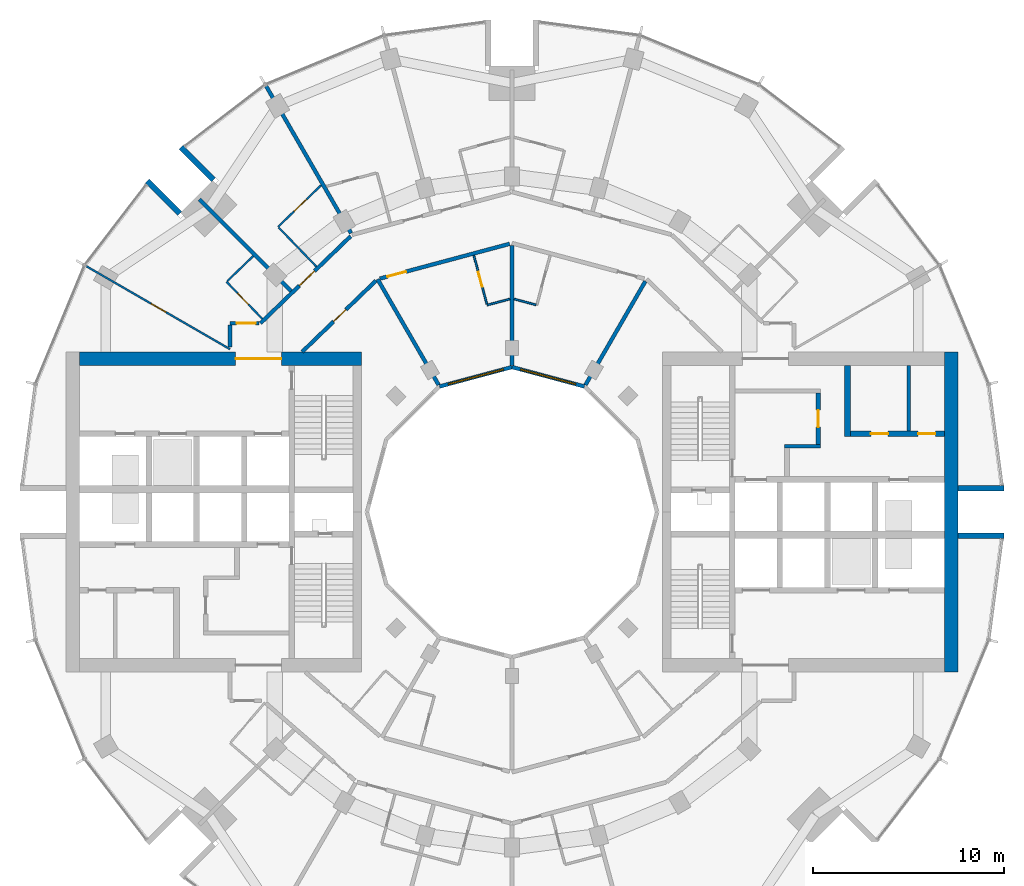
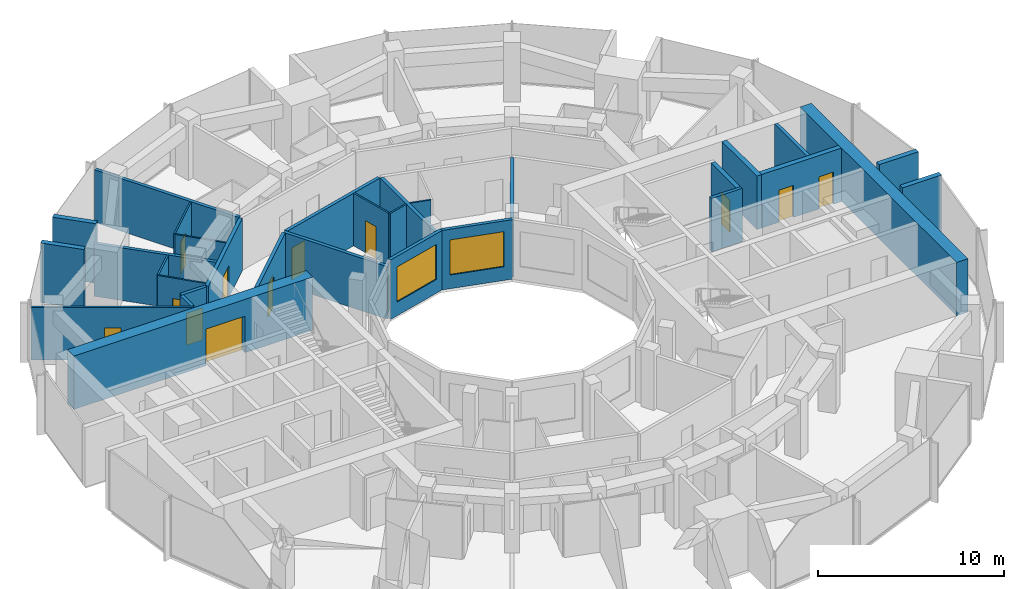
# One storey, part 11 of 15: 31 walls, 12 doors, 2 windows, 14 openings.
"""IFC4 building model written with IfcOpenShell, lengths in metres."""

import ifcopenshell
import ifcopenshell.guid

model = None  # the IFC model being written
_history = None  # IfcOwnerHistory: only IFC2X3 demands one
_inside = {}  # id of a spatial element -> (the spatial element, [elements in it])
_under = {}  # id of a project, library or spatial element -> (it, [spatial elements below it])
_declared = {}  # id of a project -> (the project, [libraries it declares])
_typed = {}  # id of a type object -> (the type object, [elements of that type])
_made_of = {}  # id of a material, layer set ... -> (it, [elements and type objects made of it])


def new_model(schema):
    """Start an empty IFC model of exactly this schema.

    Asked for "IFC4X3", IfcOpenShell would pick the latest addendum, in which some entities
    have other attributes; the version numbers below select the first issue.
    IFC2X3 requires an IfcOwnerHistory on every rooted entity: one is made here for all.
    """
    global model, _history
    if schema == "IFC4X3":
        model = ifcopenshell.file(schema_version=(4, 3, 0, 0))
    else:
        model = ifcopenshell.file(schema=schema)
    _inside.clear()
    _under.clear()
    _declared.clear()
    _typed.clear()
    _made_of.clear()
    _history = None
    if model.schema == "IFC2X3":
        org = make("IfcOrganization", Name="unknown")
        user = make(
            "IfcPersonAndOrganization",
            ThePerson=make("IfcPerson", FamilyName="unknown"),
            TheOrganization=org,
        )
        app = make(
            "IfcApplication",
            ApplicationDeveloper=org,
            Version="unknown",
            ApplicationFullName="unknown",
            ApplicationIdentifier="unknown",
        )
        _history = make(
            "IfcOwnerHistory",
            OwningUser=user,
            OwningApplication=app,
            ChangeAction="ADDED",
            CreationDate=0,
        )
    return model


def make(cls, **values):
    """One entity of the class cls with the attributes given. An attribute that is None is left unset."""
    return model.create_entity(
        cls, **{name: value for name, value in values.items() if value is not None}
    )


def rooted(cls, **values):
    """An entity with a GlobalId (a new one), such as an element, a storey or a relation."""
    return make(cls, GlobalId=ifcopenshell.guid.new(), OwnerHistory=_history, **values)


def si_unit(unit_type, name, prefix=None):
    """IfcSIUnit, for example si_unit("LENGTHUNIT", "METRE", prefix="MILLI")."""
    return make("IfcSIUnit", UnitType=unit_type, Prefix=prefix, Name=name)


def assignment(units):
    """IfcUnitAssignment: the units of a project."""
    return None if units is None else make("IfcUnitAssignment", Units=units)


def point(xyz):
    """IfcCartesianPoint."""
    return None if xyz is None else make("IfcCartesianPoint", Coordinates=xyz)


def direction(xyz):
    """IfcDirection."""
    return None if xyz is None else make("IfcDirection", DirectionRatios=xyz)


def frame(location, z_axis=None, x_axis=None):
    """IfcAxis2Placement3D, a coordinate frame: its origin and axes. An axis left out is left unset."""
    return make(
        "IfcAxis2Placement3D",
        Location=point(location),
        Axis=direction(z_axis),
        RefDirection=direction(x_axis),
    )


def frame_2d(location, x_axis=None):
    """IfcAxis2Placement2D, a coordinate frame in the plane: its origin and x axis."""
    return make(
        "IfcAxis2Placement2D", Location=point(location), RefDirection=direction(x_axis)
    )


def origin():
    """The frame at (0, 0, 0) with its axes left unset."""
    return frame((0.0, 0.0, 0.0))


def place(relative_to, where):
    """IfcLocalPlacement: puts the frame where relative to a parent placement (None: the world)."""
    return make(
        "IfcLocalPlacement", PlacementRelTo=relative_to, RelativePlacement=where
    )


def context(
    kind, dimensions, precision=None, world=None, true_north=None, identifier=None
):
    """IfcGeometricRepresentationContext, for example the 3D "Model" context."""
    return make(
        "IfcGeometricRepresentationContext",
        ContextIdentifier=identifier,
        ContextType=kind,
        CoordinateSpaceDimension=dimensions,
        Precision=precision,
        WorldCoordinateSystem=world,
        TrueNorth=true_north,
    )


def subcontext(parent, identifier, kind, view, scale=None):
    """IfcGeometricRepresentationSubContext, for example "Body" below "Model"."""
    return make(
        "IfcGeometricRepresentationSubContext",
        ContextIdentifier=identifier,
        ContextType=kind,
        ParentContext=parent,
        TargetScale=scale,
        TargetView=view,
    )


def project(units=None, contexts=None):
    """IfcProject with its units and contexts."""
    return rooted(
        "IfcProject",
        Name="project",
        RepresentationContexts=contexts,
        UnitsInContext=assignment(units),
    )


def spatial(cls, under=None, at=None, **own):
    """A site, building, storey or space (cls), placed at a placement, below another one or the project."""
    s = rooted(cls, ObjectPlacement=at, **own)
    if under is not None:
        _under.setdefault(under.id(), (under, []))[1].append(s)
    return s


def profile(cls, at=None, kind="AREA", **sizes):
    """A parametric profile (cls). Its sizes go by their IFC names, for example OverallWidth=200.0."""
    return make(cls, ProfileType=kind, Position=at, **sizes)


def rectangle(**sizes):
    """IfcRectangleProfileDef."""
    return profile("IfcRectangleProfileDef", **sizes)


def extrude(swept, where, along, depth):
    """IfcExtrudedAreaSolid: the profile swept, set in the frame where, extruded along a direction by depth."""
    return make(
        "IfcExtrudedAreaSolid",
        SweptArea=swept,
        Position=where,
        ExtrudedDirection=direction(along),
        Depth=depth,
    )


def shape(context_of_items, identifier, shape_type, items):
    """IfcShapeRepresentation: the items that make up one representation, for example the "Body"."""
    return make(
        "IfcShapeRepresentation",
        ContextOfItems=context_of_items,
        RepresentationIdentifier=identifier,
        RepresentationType=shape_type,
        Items=items,
    )


def material(Name=None, Category=None):
    """IfcMaterial."""
    return make("IfcMaterial", Name=Name, Category=Category)


def layer(
    of_material, thickness, ventilated=None, Name=None, Category=None, Priority=None
):
    """IfcMaterialLayer: one layer of a wall or slab, of a material (None: an air gap)."""
    return make(
        "IfcMaterialLayer",
        Material=of_material,
        LayerThickness=thickness,
        IsVentilated=ventilated,
        Name=Name,
        Category=Category,
        Priority=Priority,
    )


def layer_set(layers, Name=None):
    """IfcMaterialLayerSet."""
    return make("IfcMaterialLayerSet", MaterialLayers=layers, LayerSetName=Name)


def made_of(thing, what):
    """Note that an element or type object is made of a material, layer set ...; save() writes the relation."""
    if what is not None:
        _made_of.setdefault(what.id(), (what, []))[1].append(thing)
    return thing


def type_object(cls, material=None, **own):
    """A type object (cls), such as IfcWallType, which elements share."""
    return made_of(rooted(cls, **own), material)


def element(
    cls,
    number,
    at=None,
    inside=None,
    cuts=None,
    type_object=None,
    material=None,
    context=None,
    identifier="Body",
    shape_type=None,
    held_by="IfcProductDefinitionShape",
    body=None,
    shapes=None,
    **own,
):
    """One element of the class cls, such as IfcWall. Its Tag is "e" and its number.

    at: its placement. inside: the storey or other place that contains it. cuts: it is an
    opening in that element (IfcRelVoidsElement). A single representation is given by context,
    identifier, shape_type and body (its items); several are given by shapes. held_by: the class
    of the entity that holds the representations. save() writes the other relations.
    """
    e = rooted(cls, Tag="e%d" % number, ObjectPlacement=at, **own)
    if body is not None:
        shapes = [shape(context, identifier, shape_type, body)]
    if shapes is not None:
        e.Representation = make(held_by, Representations=shapes)
    if inside is not None:
        _inside.setdefault(inside.id(), (inside, []))[1].append(e)
    if cuts is not None:
        rooted(
            "IfcRelVoidsElement", RelatingBuildingElement=cuts, RelatedOpeningElement=e
        )
    if type_object is not None:
        _typed.setdefault(type_object.id(), (type_object, []))[1].append(e)
    return made_of(e, material)


def fill(opening, filler):
    """IfcRelFillsElement: the door or window that sits in an opening."""
    return rooted(
        "IfcRelFillsElement",
        RelatingOpeningElement=opening,
        RelatedBuildingElement=filler,
    )


def aggregate(whole, parts):
    """IfcRelAggregates: a whole, such as a stair, and the parts it consists of."""
    return rooted("IfcRelAggregates", RelatingObject=whole, RelatedObjects=parts)


def save(model, path):
    """Write the relations noted so far, then the file.

    IfcRelAggregates (storeys below a building ...), IfcRelContainedInSpatialStructure (elements
    in a storey), IfcRelDefinesByType, IfcRelAssociatesMaterial and IfcRelDeclares: one each for
    every whole, place, type object, material and project.
    """
    for whole, parts in _under.values():
        aggregate(whole, parts)
    for where, things in _inside.values():
        rooted(
            "IfcRelContainedInSpatialStructure",
            RelatedElements=things,
            RelatingStructure=where,
        )
    for kind, things in _typed.values():
        rooted("IfcRelDefinesByType", RelatedObjects=things, RelatingType=kind)
    for what, things in _made_of.values():
        rooted("IfcRelAssociatesMaterial", RelatedObjects=things, RelatingMaterial=what)
    for by, libraries in _declared.values():
        rooted("IfcRelDeclares", RelatingContext=by, RelatedDefinitions=libraries)
    model.write(path)


model = new_model("IFC4")

# Units and contexts
model_context = context("Model", 3, precision=1e-05, world=origin(), true_north=direction((0.0, 1.0)))
body_context = subcontext(model_context, "Body", "Model", "MODEL_VIEW")
ifc_project = project(units=[si_unit("LENGTHUNIT", "METRE"), si_unit("AREAUNIT", "SQUARE_METRE"), si_unit("VOLUMEUNIT", "CUBIC_METRE"), si_unit("PLANEANGLEUNIT", "RADIAN"), si_unit("MASSUNIT", "GRAM", prefix="KILO")], contexts=[model_context])

# Site, building, storey
site_placement = place(None, origin())
site = spatial("IfcSite", under=ifc_project, at=site_placement, CompositionType="ELEMENT")
building_placement = place(site_placement, origin())
building = spatial("IfcBuilding", under=site, at=building_placement, Name="Torre Brocal", CompositionType="ELEMENT")
storey_placement = place(building_placement, frame((0.0, 0.0, 145.800048828125)))
storey = spatial("IfcBuildingStorey", under=building, at=storey_placement, Name="L34", CompositionType="ELEMENT", Elevation=145.800048828125)

# Walls
ifc_material_1 = material(Name="Masonry block", Category="masonry")
ifc_layer_1 = layer(ifc_material_1, 0.199951171875)
ifc_layer_set_1 = layer_set([ifc_layer_1], Name="Masonry block")
wall_type_1 = type_object("IfcWallType", Name="CORE PARTITION 200 UNDER 400 SLAB", PredefinedType="PARTITIONING", material=ifc_layer_set_1)
wall_1_placement = place(storey_placement, frame((100.819091796875, 79.25, 0.0), z_axis=(0.0, 0.0, 1.0), x_axis=(0.0, 1.0, 0.0)))
element("IfcWall", 1, at=wall_1_placement, inside=storey, type_object=wall_type_1, Name="Wall CP200-S400", PredefinedType="PARTITIONING", context=body_context, shape_type="SweptSolid", body=[
    extrude(rectangle(XDim=3.449951171875, YDim=0.199951171875, at=frame_2d((1.72509765625, 0.0))), origin(), (0.0, 0.0, 1.0), 3.5),
])
ifc_material_2 = material(Name="Concrete C70", Category="concrete")
ifc_layer_2 = layer(ifc_material_2, 0.199951171875)
ifc_layer_set_2 = layer_set([ifc_layer_2], Name="Concrete C70")
wall_type_2 = type_object("IfcWallType", Name="CORE WALL 200 C70 UNDER 400 SLAB", PredefinedType="SHEAR", material=ifc_layer_set_2)
wall_2_placement = place(storey_placement, frame((94.300048828125, 78.449951171875, 0.0), z_axis=(0.0, 0.0, 1.0), x_axis=(1.0, 0.0, 0.0)))
element("IfcWall", 2, at=wall_2_placement, inside=storey, type_object=wall_type_2, Name="Wall CW200-70-S400", PredefinedType="SHEAR", context=body_context, shape_type="SweptSolid", body=[
    extrude(rectangle(XDim=1.89990234375, YDim=0.199951171875, at=frame_2d((0.949951171875, 0.0))), origin(), (0.0, 0.0, 1.0), 3.5),
])

# Wall, opening, door
ifc_material_3 = material(Name="Concrete C70", Category="concrete")
ifc_layer_3 = layer(ifc_material_3, 0.25)
ifc_layer_set_3 = layer_set([ifc_layer_3], Name="Concrete C70")
wall_type_3 = type_object("IfcWallType", Name="CORE WALL 250 C70 UNDER 400 SLAB", PredefinedType="SHEAR", material=ifc_layer_set_3)
wall_3_placement = place(storey_placement, frame((96.074951171875, 78.550048828125, 0.0), z_axis=(0.0, 0.0, 1.0), x_axis=(0.0, 1.0, 0.0)))
wall_3 = element("IfcWall", 3, at=wall_3_placement, inside=storey, type_object=wall_type_3, Name="Wall CW250-70-S400", PredefinedType="SHEAR", context=body_context, shape_type="SweptSolid", body=[
    extrude(rectangle(XDim=2.699951171875, YDim=0.25, at=frame_2d((1.35009765625, 0.0))), origin(), (0.0, 0.0, 1.0), 3.5),
])
opening_1_placement = place(wall_3_placement, frame((0.89990234375, 0.0, 0.0)))
opening_1 = element("IfcOpeningElement", 4, at=opening_1_placement, cuts=wall_3, Name="Opening E-D15", PredefinedType="OPENING", context=body_context, shape_type="SweptSolid", body=[
    extrude(rectangle(XDim=0.89990234375, YDim=2.10009765625, at=frame_2d((0.449951171875, 1.050048828125))), frame((0.0, 0.135009765625, 0.0), z_axis=(0.0, -1.0, 0.0), x_axis=(1.0, 0.0, 0.0)), (0.0, 0.0, 1.0), 0.27001953125),
])
ifc_material_4 = material(Name="Steel A653", Category="steel")
door_type_1 = type_object("IfcDoorType", Name="LOBBY DOOR FD120 900X2100", OperationType="SINGLE_SWING_RIGHT", PredefinedType="DOOR", material=ifc_material_4)
door_1_placement = place(opening_1_placement, origin())
door_1 = element("IfcDoor", 5, at=door_1_placement, inside=storey, type_object=door_type_1, Name="Door E-D15", OperationType="SINGLE_SWING_LEFT", OverallHeight=2.10009765625, OverallWidth=0.89990234375, PredefinedType="DOOR", context=body_context, shape_type="SweptSolid", body=[
    extrude(rectangle(XDim=0.89990234375, YDim=2.10009765625, at=frame_2d((0.449951171875, 1.050048828125))), frame((0.0, 0.02490234375, 0.0), z_axis=(0.0, -1.0, 0.0), x_axis=(1.0, 0.0, 0.0)), (0.0, 0.0, 1.0), 0.050048828125),
])
fill(opening_1, door_1)

# Wall
ifc_material_5 = material(Name="Concrete C70", Category="concrete")
ifc_layer_4 = layer(ifc_material_5, 0.300048828125)
ifc_layer_set_4 = layer_set([ifc_layer_4], Name="Concrete C70")
wall_type_4 = type_object("IfcWallType", Name="CORE WALL 300 C70 UNDER 400 SLAB", PredefinedType="SHEAR", material=ifc_layer_set_4)
wall_4_placement = place(storey_placement, frame((97.60009765625, 78.949951171875, 0.0), z_axis=(0.0, 0.0, 1.0), x_axis=(0.0, 1.0, 0.0)))
element("IfcWall", 6, at=wall_4_placement, inside=storey, type_object=wall_type_4, Name="Wall CW300-70-S400", PredefinedType="SHEAR", context=body_context, shape_type="SweptSolid", body=[
    extrude(rectangle(XDim=3.75, YDim=0.300048828125, at=frame_2d((1.875, 0.0))), origin(), (0.0, 0.0, 1.0), 3.5),
])

# Wall, openings, doors
wall_5_placement = place(storey_placement, frame((97.75, 79.10009765625, 0.0), z_axis=(0.0, 0.0, 1.0), x_axis=(1.0, 0.0, 0.0)))
wall_5 = element("IfcWall", 7, at=wall_5_placement, inside=storey, type_object=wall_type_4, Name="Wall CW300-70-S400", PredefinedType="SHEAR", context=body_context, shape_type="SweptSolid", body=[
    extrude(rectangle(XDim=4.949951171875, YDim=0.300048828125, at=frame_2d((2.47509765625, 0.0))), origin(), (0.0, 0.0, 1.0), 3.5),
])
opening_2_placement = place(wall_5_placement, frame((1.08447265625, 0.0, 0.0)))
opening_2 = element("IfcOpeningElement", 8, at=opening_2_placement, cuts=wall_5, Name="Opening E-D05", PredefinedType="OPENING", context=body_context, shape_type="SweptSolid", body=[
    extrude(rectangle(XDim=0.89990234375, YDim=2.10009765625, at=frame_2d((0.449951171875, 1.050048828125))), frame((0.0, 0.159912109375, 0.0), z_axis=(0.0, -1.0, 0.0), x_axis=(1.0, 0.0, 0.0)), (0.0, 0.0, 1.0), 0.320068359375),
])
opening_3_placement = place(wall_5_placement, frame((3.5595703125, 0.0, 0.0)))
opening_3 = element("IfcOpeningElement", 9, at=opening_3_placement, cuts=wall_5, Name="Opening E-D06", PredefinedType="OPENING", context=body_context, shape_type="SweptSolid", body=[
    extrude(rectangle(XDim=0.89990234375, YDim=2.10009765625, at=frame_2d((0.449951171875, 1.050048828125))), frame((0.0, 0.159912109375, 0.0), z_axis=(0.0, -1.0, 0.0), x_axis=(1.0, 0.0, 0.0)), (0.0, 0.0, 1.0), 0.320068359375),
])
ifc_material_6 = material(Name="Steel A653", Category="steel")
door_type_2 = type_object("IfcDoorType", Name="ROOM DOOR FD30S 900X2100", OperationType="SINGLE_SWING_LEFT", PredefinedType="DOOR", material=ifc_material_6)
door_2_placement = place(opening_2_placement, origin())
door_2 = element("IfcDoor", 10, at=door_2_placement, inside=storey, type_object=door_type_2, Name="Door E-D05", OperationType="SINGLE_SWING_RIGHT", OverallHeight=2.10009765625, OverallWidth=0.89990234375, PredefinedType="DOOR", context=body_context, shape_type="SweptSolid", body=[
    extrude(rectangle(XDim=0.89990234375, YDim=2.10009765625, at=frame_2d((0.449951171875, 1.050048828125))), frame((0.0, 0.02490234375, 0.0), z_axis=(0.0, -1.0, 0.0), x_axis=(1.0, 0.0, 0.0)), (0.0, 0.0, 1.0), 0.050048828125),
])
fill(opening_2, door_2)
door_3_placement = place(opening_3_placement, origin())
door_3 = element("IfcDoor", 11, at=door_3_placement, inside=storey, type_object=door_type_2, Name="Door E-D06", OperationType="SINGLE_SWING_LEFT", OverallHeight=2.10009765625, OverallWidth=0.89990234375, PredefinedType="DOOR", context=body_context, shape_type="SweptSolid", body=[
    extrude(rectangle(XDim=0.89990234375, YDim=2.10009765625, at=frame_2d((0.449951171875, 1.050048828125))), frame((0.0, 0.02490234375, 0.0), z_axis=(0.0, -1.0, 0.0), x_axis=(1.0, 0.0, 0.0)), (0.0, 0.0, 1.0), 0.050048828125),
])
fill(opening_3, door_3)

# Wall
ifc_material_7 = material(Name="Concrete C70", Category="concrete")
ifc_layer_5 = layer(ifc_material_7, 0.699951171875)
ifc_layer_set_5 = layer_set([ifc_layer_5], Name="Concrete C70")
wall_type_5 = type_object("IfcWallType", Name="CORE WALL 700 C70 UNDER 400 SLAB", PredefinedType="SHEAR", material=ifc_layer_set_5)
wall_6_placement = place(storey_placement, frame((103.050048828125, 66.60009765625, 0.0), z_axis=(0.0, 0.0, 1.0), x_axis=(0.0, 1.0, 0.0)))
element("IfcWall", 12, at=wall_6_placement, inside=storey, type_object=wall_type_5, Name="Wall CW700-70-S400", PredefinedType="SHEAR", context=body_context, shape_type="SweptSolid", body=[
    extrude(rectangle(XDim=16.7998046875, YDim=0.699951171875, at=frame_2d((8.39990234375, 0.0))), origin(), (0.0, 0.0, 1.0), 3.5),
])

# Wall, opening, door
wall_7_placement = place(storey_placement, frame((72.10009765625, 83.050048828125, 0.0), z_axis=(0.0, 0.0, 1.0), x_axis=(-1.0, 0.0, 0.0)))
wall_7 = element("IfcWall", 13, at=wall_7_placement, inside=storey, type_object=wall_type_5, Name="Wall CW700-70-S400", PredefinedType="SHEAR", context=body_context, shape_type="SweptSolid", body=[
    extrude(rectangle(XDim=14.800048828125, YDim=0.699951171875, at=frame_2d((7.39990234375, 0.0))), origin(), (0.0, 0.0, 1.0), 3.5),
])
opening_4_placement = place(wall_7_placement, frame((4.199951171875, 0.0, 0.0)))
opening_4 = element("IfcOpeningElement", 14, at=opening_4_placement, cuts=wall_7, Name="Opening W-D27", PredefinedType="OPENING", context=body_context, shape_type="SweptSolid", body=[
    extrude(rectangle(XDim=2.39990234375, YDim=2.39990234375, at=frame_2d((1.199951171875, 1.199951171875))), frame((0.0, 0.35986328125, 0.0), z_axis=(0.0, -1.0, 0.0), x_axis=(1.0, 0.0, 0.0)), (0.0, 0.0, 1.0), 0.719970703125),
])
ifc_material_8 = material(Name="Steel A653", Category="steel")
door_type_3 = type_object("IfcDoorType", Name="DOUBLE FIRE DOOR FD90 2400X2400", OperationType="DOUBLE_DOOR_SINGLE_SWING", PredefinedType="DOOR", material=ifc_material_8)
door_4_placement = place(opening_4_placement, origin())
door_4 = element("IfcDoor", 15, at=door_4_placement, inside=storey, type_object=door_type_3, Name="Door W-D27", OperationType="DOUBLE_DOOR_SINGLE_SWING", OverallHeight=2.39990234375, OverallWidth=2.39990234375, PredefinedType="DOOR", context=body_context, shape_type="SweptSolid", body=[
    extrude(rectangle(XDim=2.39990234375, YDim=2.39990234375, at=frame_2d((1.199951171875, 1.199951171875))), frame((0.0, 0.02490234375, 0.0), z_axis=(0.0, -1.0, 0.0), x_axis=(1.0, 0.0, 0.0)), (0.0, 0.0, 1.0), 0.050048828125),
])
fill(opening_4, door_4)

# Walls
ifc_material_9 = material(Name="Concrete C70", Category="concrete")
ifc_layer_6 = layer(ifc_material_9, 0.300048828125)
ifc_layer_set_6 = layer_set([ifc_layer_6], Name="Concrete C70")
wall_type_6 = type_object("IfcWallType", Name="NOTCH RETURN WALL 300 C70", PredefinedType="NOTDEFINED", material=ifc_layer_set_6)
for number, where, z_axis, x_axis, name in (
    (16, (103.39990234375, 73.75, 0.0), (0.0, 0.0, 1.0), (1.0, 0.0, 0.0), "NOTCH RETURN WALL"),
    (17, (103.39990234375, 76.25, 0.0), (0.0, 0.0, 1.0), (1.0, 0.0, 0.0), "NOTCH RETURN WALL"),
    (18, (64.337646484375, 92.43017578125, 0.0), (0.0, 0.0, 1.0), (-0.707106781187, 0.707106781187, 0.0), "NOTCH RETURN WALL"),
    (19, (62.56982421875, 90.662353515625, 0.0), (0.0, 0.0, 1.0), (-0.707106781187, 0.707106781187, 0.0), "NOTCH RETURN WALL"),
):
    element("IfcWall", number, at=place(storey_placement, frame(where, z_axis=z_axis, x_axis=x_axis)), inside=storey, type_object=wall_type_6, Name=name, PredefinedType="NOTDEFINED", context=body_context, shape_type="SweptSolid", body=[
        extrude(rectangle(XDim=2.415771484375, YDim=0.300048828125, at=frame_2d((1.2080078125, 0.0))), origin(), (0.0, 0.0, 1.0), 3.89990234375),
    ])

# Wall, opening, door
ifc_material_10 = material(Name="Gypsum board", Category="Gypsum")
ifc_layer_7 = layer(ifc_material_10, 0.10009765625)
ifc_layer_set_7 = layer_set([ifc_layer_7], Name="Gypsum board")
wall_type_7 = type_object("IfcWallType", Name="PARTITION 100", PredefinedType="PARTITIONING", material=ifc_layer_set_7)
wall_8_placement = place(storey_placement, frame((57.65869140625, 87.89892578125, 0.0), z_axis=(0.0, 0.0, 1.0), x_axis=(0.86602264145, -0.500004784474, 0.0)))
wall_8 = element("IfcWall", 20, at=wall_8_placement, inside=storey, type_object=wall_type_7, Name="ROOM PARTITION", PredefinedType="PARTITIONING", context=body_context, shape_type="SweptSolid", body=[
    extrude(rectangle(XDim=8.7080078125, YDim=0.10009765625, at=frame_2d((4.35400390625, 0.0))), origin(), (0.0, 0.0, 1.0), 3.449951171875),
])
opening_5_placement = place(wall_8_placement, frame((3.928955078125, 0.0, 0.0)))
opening_5 = element("IfcOpeningElement", 21, at=opening_5_placement, cuts=wall_8, Name="Opening E03-D16", PredefinedType="OPENING", context=body_context, shape_type="SweptSolid", body=[
    extrude(rectangle(XDim=0.89990234375, YDim=2.10009765625, at=frame_2d((0.449951171875, 1.050048828125))), frame((0.0, 0.06005859375, 0.0), z_axis=(0.0, -1.0, 0.0), x_axis=(1.0, 0.0, 0.0)), (0.0, 0.0, 1.0), 0.1201171875),
])
ifc_material_11 = material(Name="Timber", Category="wood")
door_type_4 = type_object("IfcDoorType", Name="ROOM DOOR 900X2100", OperationType="SINGLE_SWING_LEFT", PredefinedType="DOOR", material=ifc_material_11)
door_5_placement = place(opening_5_placement, frame((0.89990234375, 0.0, 0.0), z_axis=(0.0, 0.0, 1.0), x_axis=(-1.0, 0.0, 0.0)))
door_5 = element("IfcDoor", 22, at=door_5_placement, inside=storey, type_object=door_type_4, Name="E03-D16", OperationType="SINGLE_SWING_LEFT", OverallHeight=2.10009765625, OverallWidth=0.89990234375, PredefinedType="DOOR", context=body_context, shape_type="SweptSolid", body=[
    extrude(rectangle(XDim=0.89990234375, YDim=2.10009765625, at=frame_2d((0.449951171875, 1.050048828125))), frame((0.0, 0.02490234375, 0.0), z_axis=(0.0, -1.0, 0.0), x_axis=(1.0, 0.0, 0.0)), (0.0, 0.0, 1.0), 0.050048828125),
])
fill(opening_5, door_5)

# Wall
wall_9_placement = place(storey_placement, frame((65.05908203125, 87.11376953125, 0.0), z_axis=(0.0, 0.0, 1.0), x_axis=(0.719653890619, 0.694332973232, 0.0)))
element("IfcWall", 23, at=wall_9_placement, inside=storey, type_object=wall_type_7, Name="BATHROOM WALL", PredefinedType="PARTITIONING", context=body_context, shape_type="SweptSolid", body=[
    extrude(rectangle(XDim=1.8994140625, YDim=0.10009765625, at=frame_2d((0.94970703125, 0.0))), origin(), (0.0, 0.0, 1.0), 3.449951171875),
])

# Wall, opening, door
wall_10_placement = place(storey_placement, frame((65.02294921875, 87.0791015625, 0.0), z_axis=(0.0, 0.0, 1.0), x_axis=(0.694287838235, -0.719697434815, 0.0)))
wall_10 = element("IfcWall", 24, at=wall_10_placement, inside=storey, type_object=wall_type_7, Name="BATHROOM WALL", PredefinedType="PARTITIONING", context=body_context, shape_type="SweptSolid", body=[
    extrude(rectangle(XDim=2.699951171875, YDim=0.10009765625, at=frame_2d((1.35009765625, 0.0))), origin(), (0.0, 0.0, 1.0), 3.449951171875),
])
opening_6_placement = place(wall_10_placement, frame((0.849853515625, 0.0, 0.0)))
opening_6 = element("IfcOpeningElement", 25, at=opening_6_placement, cuts=wall_10, Name="Opening E03-D15", PredefinedType="OPENING", context=body_context, shape_type="SweptSolid", body=[
    extrude(rectangle(XDim=0.800048828125, YDim=2.10009765625, at=frame_2d((0.39990234375, 1.050048828125))), frame((0.0, 0.06005859375, 0.0), z_axis=(0.0, -1.0, 0.0), x_axis=(1.0, 0.0, 0.0)), (0.0, 0.0, 1.0), 0.1201171875),
])
ifc_material_12 = material(Name="Timber", Category="wood")
door_type_5 = type_object("IfcDoorType", Name="BATHROOM DOOR 800X2100", OperationType="SINGLE_SWING_LEFT", PredefinedType="DOOR", material=ifc_material_12)
door_6_placement = place(opening_6_placement, origin())
door_6 = element("IfcDoor", 26, at=door_6_placement, inside=storey, type_object=door_type_5, Name="E03-D15", OperationType="SINGLE_SWING_LEFT", OverallHeight=2.10009765625, OverallWidth=0.800048828125, PredefinedType="DOOR", context=body_context, shape_type="SweptSolid", body=[
    extrude(rectangle(XDim=0.800048828125, YDim=2.10009765625, at=frame_2d((0.39990234375, 1.050048828125))), frame((0.0, 0.02490234375, 0.0), z_axis=(0.0, -1.0, 0.0), x_axis=(1.0, 0.0, 0.0)), (0.0, 0.0, 1.0), 0.050048828125),
])
fill(opening_6, door_6)

# Wall
wall_11_placement = place(storey_placement, frame((67.7578125, 89.926025390625, 0.0), z_axis=(0.0, 0.0, 1.0), x_axis=(0.694485934895, -0.719506279495, 0.0)))
element("IfcWall", 27, at=wall_11_placement, inside=storey, type_object=wall_type_7, Name="BATHROOM WALL", PredefinedType="PARTITIONING", context=body_context, shape_type="SweptSolid", body=[
    extrude(rectangle(XDim=2.849365234375, YDim=0.10009765625, at=frame_2d((1.4248046875, 0.0))), origin(), (0.0, 0.0, 1.0), 3.449951171875),
])

# Wall, opening, door
wall_12_placement = place(storey_placement, frame((67.722900390625, 89.9619140625, 0.0), z_axis=(0.0, 0.0, 1.0), x_axis=(0.719487277563, 0.694505620873, 0.0)))
wall_12 = element("IfcWall", 28, at=wall_12_placement, inside=storey, type_object=wall_type_7, Name="BATHROOM WALL", PredefinedType="PARTITIONING", context=body_context, shape_type="SweptSolid", body=[
    extrude(rectangle(XDim=3.136962890625, YDim=0.10009765625, at=frame_2d((1.568359375, 0.0))), origin(), (0.0, 0.0, 1.0), 3.449951171875),
])
opening_7_placement = place(wall_12_placement, frame((1.17333984375, 0.0, 0.0)))
opening_7 = element("IfcOpeningElement", 29, at=opening_7_placement, cuts=wall_12, Name="Opening E03-D13", PredefinedType="OPENING", context=body_context, shape_type="SweptSolid", body=[
    extrude(rectangle(XDim=0.89990234375, YDim=2.10009765625, at=frame_2d((0.449951171875, 1.050048828125))), frame((0.0, 0.06005859375, 0.0), z_axis=(0.0, -1.0, 0.0), x_axis=(1.0, 0.0, 0.0)), (0.0, 0.0, 1.0), 0.1201171875),
])
ifc_material_13 = material(Name="Timber", Category="wood")
door_type_6 = type_object("IfcDoorType", Name="ACCESSIBLE BATHROOM DOOR 900X2100", OperationType="SINGLE_SWING_LEFT", PredefinedType="DOOR", material=ifc_material_13)
door_7_placement = place(opening_7_placement, frame((0.89990234375, 0.0, 0.0), z_axis=(0.0, 0.0, 1.0), x_axis=(-1.0, 0.0, 0.0)))
door_7 = element("IfcDoor", 30, at=door_7_placement, inside=storey, type_object=door_type_6, Name="E03-D13", OperationType="SINGLE_SWING_LEFT", OverallHeight=2.10009765625, OverallWidth=0.89990234375, PredefinedType="DOOR", context=body_context, shape_type="SweptSolid", body=[
    extrude(rectangle(XDim=0.89990234375, YDim=2.10009765625, at=frame_2d((0.449951171875, 1.050048828125))), frame((0.0, 0.02490234375, 0.0), z_axis=(0.0, -1.0, 0.0), x_axis=(1.0, 0.0, 0.0)), (0.0, 0.0, 1.0), 0.050048828125),
])
fill(opening_7, door_7)

wall_13_placement = place(storey_placement, frame((77.997802734375, 88.46337890625, 0.0), z_axis=(0.0, 0.0, 1.0), x_axis=(0.258677737588, -0.965963678446, 0.0)))
wall_13 = element("IfcWall", 31, at=wall_13_placement, inside=storey, type_object=wall_type_7, Name="BATHROOM WALL", PredefinedType="PARTITIONING", context=body_context, shape_type="SweptSolid", body=[
    extrude(rectangle(XDim=2.649169921875, YDim=0.10009765625, at=frame_2d((1.32470703125, 0.0))), origin(), (0.0, 0.0, 1.0), 3.449951171875),
])
opening_8_placement = place(wall_13_placement, frame((0.899658203125, 0.0, 0.0)))
opening_8 = element("IfcOpeningElement", 32, at=opening_8_placement, cuts=wall_13, Name="Opening E03-D21", PredefinedType="OPENING", context=body_context, shape_type="SweptSolid", body=[
    extrude(rectangle(XDim=0.800048828125, YDim=2.10009765625, at=frame_2d((0.39990234375, 1.050048828125))), frame((0.0, 0.06005859375, 0.0), z_axis=(0.0, -1.0, 0.0), x_axis=(1.0, 0.0, 0.0)), (0.0, 0.0, 1.0), 0.1201171875),
])
door_8_placement = place(opening_8_placement, origin())
door_8 = element("IfcDoor", 33, at=door_8_placement, inside=storey, type_object=door_type_5, Name="E03-D21", OperationType="SINGLE_SWING_LEFT", OverallHeight=2.10009765625, OverallWidth=0.800048828125, PredefinedType="DOOR", context=body_context, shape_type="SweptSolid", body=[
    extrude(rectangle(XDim=0.800048828125, YDim=2.10009765625, at=frame_2d((0.39990234375, 1.050048828125))), frame((0.0, 0.02490234375, 0.0), z_axis=(0.0, -1.0, 0.0), x_axis=(1.0, 0.0, 0.0)), (0.0, 0.0, 1.0), 0.050048828125),
])
fill(opening_8, door_8)

# Walls
wall_14_placement = place(storey_placement, frame((78.696044921875, 85.85595703125, 0.0), z_axis=(0.0, 0.0, 1.0), x_axis=(0.966002513606, 0.258532674351, 0.0)))
element("IfcWall", 34, at=wall_14_placement, inside=storey, type_object=wall_type_7, Name="BATHROOM WALL", PredefinedType="PARTITIONING", context=body_context, shape_type="SweptSolid", body=[
    extrude(rectangle(XDim=1.239990234375, YDim=0.10009765625, at=frame_2d((0.6201171875, 0.0))), origin(), (0.0, 0.0, 1.0), 3.449951171875),
])
wall_15_placement = place(storey_placement, frame((80.106201171875, 86.176513671875, 0.0), z_axis=(0.0, 0.0, 1.0), x_axis=(0.966002973184, -0.258530957139, 0.0)))
element("IfcWall", 35, at=wall_15_placement, inside=storey, type_object=wall_type_7, Name="BATHROOM WALL", PredefinedType="PARTITIONING", context=body_context, shape_type="SweptSolid", body=[
    extrude(rectangle(XDim=1.18994140625, YDim=0.10009765625, at=frame_2d((0.594970703125, 0.0))), origin(), (0.0, 0.0, 1.0), 3.449951171875),
])
ifc_material_14 = material(Name="Gypsum board", Category="Gypsum")
ifc_layer_8 = layer(ifc_material_14, 0.199951171875)
ifc_layer_set_8 = layer_set([ifc_layer_8], Name="Gypsum board")
wall_type_8 = type_object("IfcWallType", Name="PARTITION 200 EI60", PredefinedType="PARTITIONING", material=ifc_layer_set_8)
wall_16_placement = place(storey_placement, frame((63.595703125, 91.405517578125, 0.0), z_axis=(0.0, 0.0, 1.0), x_axis=(0.706963264491, -0.707250268759, 0.0)))
element("IfcWall", 36, at=wall_16_placement, inside=storey, type_object=wall_type_8, Name="BATHROOM WALL", PredefinedType="PARTITIONING", context=body_context, shape_type="SweptSolid", body=[
    extrude(rectangle(XDim=6.80517578125, YDim=0.199951171875, at=frame_2d((3.402587890625, 0.0))), origin(), (0.0, 0.0, 1.0), 3.449951171875),
])
wall_17_placement = place(storey_placement, frame((65.199951171875, 83.64990234375, 0.0), z_axis=(0.0, 0.0, 1.0), x_axis=(0.0, 1.0, 0.0)))
element("IfcWall", 37, at=wall_17_placement, inside=storey, type_object=wall_type_8, Name="GUESTROOM CORRIDOR WALL", PredefinedType="PARTITIONING", context=body_context, shape_type="SweptSolid", body=[
    extrude(rectangle(XDim=1.150146484375, YDim=0.199951171875, at=frame_2d((0.5751953125, 0.0))), origin(), (0.0, 0.0, 1.0), 3.449951171875),
])

# Wall, opening, door
wall_18_placement = place(storey_placement, frame((65.199951171875, 84.89990234375, 0.0), z_axis=(0.0, 0.0, 1.0), x_axis=(1.0, 0.0, 0.0)))
wall_18 = element("IfcWall", 38, at=wall_18_placement, inside=storey, type_object=wall_type_8, Name="GUESTROOM CORRIDOR WALL", PredefinedType="PARTITIONING", context=body_context, shape_type="SweptSolid", body=[
    extrude(rectangle(XDim=1.537109375, YDim=0.199951171875, at=frame_2d((0.7685546875, 0.0))), origin(), (0.0, 0.0, 1.0), 3.449951171875),
])
opening_9_placement = place(wall_18_placement, frame((0.346923828125, 0.0, 0.0)))
opening_9 = element("IfcOpeningElement", 39, at=opening_9_placement, cuts=wall_18, Name="Opening E03-D14", PredefinedType="OPENING", context=body_context, shape_type="SweptSolid", body=[
    extrude(rectangle(XDim=1.0, YDim=2.10009765625, at=frame_2d((0.5, 1.050048828125))), frame((0.0, 0.10986328125, 0.0), z_axis=(0.0, -1.0, 0.0), x_axis=(1.0, 0.0, 0.0)), (0.0, 0.0, 1.0), 0.219970703125),
])
ifc_material_15 = material(Name="Timber", Category="wood")
door_type_7 = type_object("IfcDoorType", Name="FLAT ENTRY DOOR FD30S 1000X2100", OperationType="SINGLE_SWING_RIGHT", PredefinedType="DOOR", material=ifc_material_15)
door_9_placement = place(opening_9_placement, origin())
door_9 = element("IfcDoor", 40, at=door_9_placement, inside=storey, type_object=door_type_7, Name="E03-D14", OperationType="SINGLE_SWING_LEFT", OverallHeight=2.10009765625, OverallWidth=1.0, PredefinedType="DOOR", context=body_context, shape_type="SweptSolid", body=[
    extrude(rectangle(XDim=1.0, YDim=2.10009765625, at=frame_2d((0.5, 1.050048828125))), frame((0.0, 0.02490234375, 0.0), z_axis=(0.0, -1.0, 0.0), x_axis=(1.0, 0.0, 0.0)), (0.0, 0.0, 1.0), 0.050048828125),
])
fill(opening_9, door_9)

wall_19_placement = place(storey_placement, frame((66.796630859375, 84.900390625, 0.0), z_axis=(0.0, 0.0, 1.0), x_axis=(0.719692092412, 0.694293376116, 0.0)))
wall_19 = element("IfcWall", 41, at=wall_19_placement, inside=storey, type_object=wall_type_8, Name="GUESTROOM CORRIDOR WALL", PredefinedType="PARTITIONING", context=body_context, shape_type="SweptSolid", body=[
    extrude(rectangle(XDim=6.58447265625, YDim=0.199951171875, at=frame_2d((3.292236328125, 0.0))), origin(), (0.0, 0.0, 1.0), 3.449951171875),
])
opening_10_placement = place(wall_19_placement, frame((2.8515625, 0.0, 0.0)))
opening_10 = element("IfcOpeningElement", 42, at=opening_10_placement, cuts=wall_19, Name="Opening E03-D12", PredefinedType="OPENING", context=body_context, shape_type="SweptSolid", body=[
    extrude(rectangle(XDim=1.10009765625, YDim=2.10009765625, at=frame_2d((0.550048828125, 1.050048828125))), frame((0.0, 0.10986328125, 0.0), z_axis=(0.0, -1.0, 0.0), x_axis=(1.0, 0.0, 0.0)), (0.0, 0.0, 1.0), 0.219970703125),
])
ifc_material_16 = material(Name="Timber", Category="wood")
door_type_8 = type_object("IfcDoorType", Name="ACCESSIBLE ENTRY DOOR FD30S 1100X2100", OperationType="SINGLE_SWING_RIGHT", PredefinedType="DOOR", material=ifc_material_16)
door_10_placement = place(opening_10_placement, origin())
door_10 = element("IfcDoor", 43, at=door_10_placement, inside=storey, type_object=door_type_8, Name="E03-D12", OperationType="SINGLE_SWING_RIGHT", OverallHeight=2.10009765625, OverallWidth=1.10009765625, PredefinedType="DOOR", context=body_context, shape_type="SweptSolid", body=[
    extrude(rectangle(XDim=1.10009765625, YDim=2.10009765625, at=frame_2d((0.550048828125, 1.050048828125))), frame((0.0, 0.02490234375, 0.0), z_axis=(0.0, -1.0, 0.0), x_axis=(1.0, 0.0, 0.0)), (0.0, 0.0, 1.0), 0.050048828125),
])
fill(opening_10, door_10)

# Wall
wall_20_placement = place(storey_placement, frame((67.1025390625, 97.34228515625, 0.0), z_axis=(0.0, 0.0, 1.0), x_axis=(0.499900389553, -0.866082906265, 0.0)))
element("IfcWall", 44, at=wall_20_placement, inside=storey, type_object=wall_type_8, Name="BATHROOM WALL", PredefinedType="PARTITIONING", context=body_context, shape_type="SweptSolid", body=[
    extrude(rectangle(XDim=8.907958984375, YDim=0.199951171875, at=frame_2d((4.4541015625, 0.0))), origin(), (0.0, 0.0, 1.0), 3.449951171875),
])

# Wall, opening, door
wall_21_placement = place(storey_placement, frame((68.987060546875, 83.39990234375, 0.0), z_axis=(0.0, 0.0, 1.0), x_axis=(0.719547721855, 0.694442996922, 0.0)))
wall_21 = element("IfcWall", 45, at=wall_21_placement, inside=storey, type_object=wall_type_8, Name="CORRIDOR WALL", PredefinedType="PARTITIONING", context=body_context, shape_type="SweptSolid", body=[
    extrude(rectangle(XDim=5.3779296875, YDim=0.199951171875, at=frame_2d((2.68896484375, 0.0))), origin(), (0.0, 0.0, 1.0), 3.449951171875),
])
opening_11_placement = place(wall_21_placement, frame((2.2939453125, 0.0, 0.0)))
opening_11 = element("IfcOpeningElement", 46, at=opening_11_placement, cuts=wall_21, Name="Opening E03-D22", PredefinedType="OPENING", context=body_context, shape_type="SweptSolid", body=[
    extrude(rectangle(XDim=0.89990234375, YDim=2.10009765625, at=frame_2d((0.449951171875, 1.050048828125))), frame((0.0, 0.10986328125, 0.0), z_axis=(0.0, -1.0, 0.0), x_axis=(1.0, 0.0, 0.0)), (0.0, 0.0, 1.0), 0.219970703125),
])
door_11_placement = place(opening_11_placement, frame((0.89990234375, 0.0, 0.0), z_axis=(0.0, 0.0, 1.0), x_axis=(-1.0, 0.0, 0.0)))
door_11 = element("IfcDoor", 47, at=door_11_placement, inside=storey, type_object=door_type_4, Name="E03-D22", OperationType="SINGLE_SWING_RIGHT", OverallHeight=2.10009765625, OverallWidth=0.89990234375, PredefinedType="DOOR", context=body_context, shape_type="SweptSolid", body=[
    extrude(rectangle(XDim=0.89990234375, YDim=2.10009765625, at=frame_2d((0.449951171875, 1.050048828125))), frame((0.0, 0.02490234375, 0.0), z_axis=(0.0, -1.0, 0.0), x_axis=(1.0, 0.0, 0.0)), (0.0, 0.0, 1.0), 0.050048828125),
])
fill(opening_11, door_11)

wall_22_placement = place(storey_placement, frame((73.0712890625, 87.2470703125, 0.0), z_axis=(0.0, 0.0, 1.0), x_axis=(0.965931651205, 0.258797305243, 0.0)))
wall_22 = element("IfcWall", 48, at=wall_22_placement, inside=storey, type_object=wall_type_8, Name="GUESTROOM CORRIDOR WALL", PredefinedType="PARTITIONING", context=body_context, shape_type="SweptSolid", body=[
    extrude(rectangle(XDim=7.043212890625, YDim=0.199951171875, at=frame_2d((3.521484375, 0.0))), origin(), (0.0, 0.0, 1.0), 3.449951171875),
])
opening_12_placement = place(wall_22_placement, frame((0.409912109375, 0.0, 0.0)))
opening_12 = element("IfcOpeningElement", 49, at=opening_12_placement, cuts=wall_22, Name="Opening E03-D20", PredefinedType="OPENING", context=body_context, shape_type="SweptSolid", body=[
    extrude(rectangle(XDim=1.0, YDim=2.10009765625, at=frame_2d((0.5, 1.050048828125))), frame((0.0, 0.10986328125, 0.0), z_axis=(0.0, -1.0, 0.0), x_axis=(1.0, 0.0, 0.0)), (0.0, 0.0, 1.0), 0.219970703125),
])
door_12_placement = place(opening_12_placement, frame((1.0, 0.0, 0.0), z_axis=(0.0, 0.0, 1.0), x_axis=(-1.0, 0.0, 0.0)))
door_12 = element("IfcDoor", 50, at=door_12_placement, inside=storey, type_object=door_type_7, Name="E03-D20", OperationType="SINGLE_SWING_RIGHT", OverallHeight=2.10009765625, OverallWidth=1.0, PredefinedType="DOOR", context=body_context, shape_type="SweptSolid", body=[
    extrude(rectangle(XDim=1.0, YDim=2.10009765625, at=frame_2d((0.5, 1.050048828125))), frame((0.0, 0.02490234375, 0.0), z_axis=(0.0, -1.0, 0.0), x_axis=(1.0, 0.0, 0.0)), (0.0, 0.0, 1.0), 0.050048828125),
])
fill(opening_12, door_12)

# Walls
wall_23_placement = place(storey_placement, frame((72.948486328125, 87.214111328125, 0.0), z_axis=(0.0, 0.0, 1.0), x_axis=(0.499898430755, -0.866084036875, 0.0)))
element("IfcWall", 51, at=wall_23_placement, inside=storey, type_object=wall_type_8, Name="SERVICE ROOM WALL", PredefinedType="PARTITIONING", context=body_context, shape_type="SweptSolid", body=[
    extrude(rectangle(XDim=6.405029296875, YDim=0.199951171875, at=frame_2d((3.20263671875, 0.0))), origin(), (0.0, 0.0, 1.0), 3.449951171875),
])
wall_24_placement = place(storey_placement, frame((80.0, 82.698974609375, 0.0), z_axis=(0.0, 0.0, 1.0), x_axis=(0.0, 1.0, 0.0)))
element("IfcWall", 52, at=wall_24_placement, inside=storey, type_object=wall_type_8, Name="BATHROOM WALL", PredefinedType="PARTITIONING", context=body_context, shape_type="SweptSolid", body=[
    extrude(rectangle(XDim=6.275146484375, YDim=0.199951171875, at=frame_2d((3.1376953125, 0.0))), origin(), (0.0, 0.0, 1.0), 3.449951171875),
])
wall_25_placement = place(storey_placement, frame((83.853515625, 81.66455078125, 0.0), z_axis=(0.0, 0.0, 1.0), x_axis=(0.500241355856, 0.865886012066, 0.0)))
element("IfcWall", 53, at=wall_25_placement, inside=storey, type_object=wall_type_8, Name="SERVICE ROOM WALL", PredefinedType="PARTITIONING", context=body_context, shape_type="SweptSolid", body=[
    extrude(rectangle(XDim=6.28515625, YDim=0.199951171875, at=frame_2d((3.142578125, 0.0))), origin(), (0.0, 0.0, 1.0), 3.449951171875),
])

# Wall, opening, window
ifc_material_17 = material(Name="Concrete C40", Category="concrete")
ifc_layer_9 = layer(ifc_material_17, 0.199951171875)
ifc_layer_set_9 = layer_set([ifc_layer_9], Name="Concrete C40")
wall_type_9 = type_object("IfcWallType", Name="WELL FACADE WALL 200", PredefinedType="NOTDEFINED", material=ifc_layer_set_9)
wall_26_placement = place(storey_placement, frame((83.8017578125, 81.5849609375, 0.0), z_axis=(0.0, 0.0, 1.0), x_axis=(-0.965933654434, 0.258789828301, 0.0)))
wall_26 = element("IfcWall", 54, at=wall_26_placement, inside=storey, type_object=wall_type_9, Name="WELL FACADE WALL", PredefinedType="NOTDEFINED", context=body_context, shape_type="SweptSolid", body=[
    extrude(rectangle(XDim=3.935791015625, YDim=0.199951171875, at=frame_2d((1.9677734375, 0.0))), origin(), (0.0, 0.0, 1.0), 3.89990234375),
])
opening_13_placement = place(wall_26_placement, frame((0.468017578125, 0.0, 0.89990234375)))
opening_13 = element("IfcOpeningElement", 55, at=opening_13_placement, cuts=wall_26, Name="Opening W1", PredefinedType="OPENING", context=body_context, shape_type="SweptSolid", body=[
    extrude(rectangle(XDim=3.0, YDim=2.300048828125, at=frame_2d((1.5, 1.14990234375))), frame((0.0, 0.10986328125, 0.0), z_axis=(0.0, -1.0, 0.0), x_axis=(1.0, 0.0, 0.0)), (0.0, 0.0, 1.0), 0.219970703125),
])
ifc_material_18 = material(Name="Aluminium and glass", Category="aluminium")
window_type = type_object("IfcWindowType", Name="WELL WINDOW 3000X2300", PartitioningType="SINGLE_PANEL", PredefinedType="WINDOW", material=ifc_material_18)
window_1_placement = place(opening_13_placement, origin())
window_1 = element("IfcWindow", 56, at=window_1_placement, inside=storey, type_object=window_type, Name="WELL WINDOW 3000X2300", OverallHeight=2.300048828125, OverallWidth=3.0, PartitioningType="SINGLE_PANEL", PredefinedType="WINDOW", context=body_context, shape_type="SweptSolid", body=[
    extrude(rectangle(XDim=3.0, YDim=2.300048828125, at=frame_2d((1.5, 1.14990234375))), frame((0.0, 0.030029296875, 0.0), z_axis=(0.0, -1.0, 0.0), x_axis=(1.0, 0.0, 0.0)), (0.0, 0.0, 1.0), 0.06005859375),
])
fill(opening_13, window_1)

wall_27_placement = place(storey_placement, frame((80.0, 82.603515625, 0.0), z_axis=(0.0, 0.0, 1.0), x_axis=(-0.965933654434, -0.258789828301, 0.0)))
wall_27 = element("IfcWall", 57, at=wall_27_placement, inside=storey, type_object=wall_type_9, Name="WELL FACADE WALL", PredefinedType="NOTDEFINED", context=body_context, shape_type="SweptSolid", body=[
    extrude(rectangle(XDim=3.935791015625, YDim=0.199951171875, at=frame_2d((1.9677734375, 0.0))), origin(), (0.0, 0.0, 1.0), 3.89990234375),
])
opening_14_placement = place(wall_27_placement, frame((0.468017578125, 0.0, 0.89990234375)))
opening_14 = element("IfcOpeningElement", 58, at=opening_14_placement, cuts=wall_27, Name="Opening W1", PredefinedType="OPENING", context=body_context, shape_type="SweptSolid", body=[
    extrude(rectangle(XDim=3.0, YDim=2.300048828125, at=frame_2d((1.5, 1.14990234375))), frame((0.0, 0.10986328125, 0.0), z_axis=(0.0, -1.0, 0.0), x_axis=(1.0, 0.0, 0.0)), (0.0, 0.0, 1.0), 0.219970703125),
])
window_2_placement = place(opening_14_placement, origin())
window_2 = element("IfcWindow", 59, at=window_2_placement, inside=storey, type_object=window_type, Name="WELL WINDOW 3000X2300", OverallHeight=2.300048828125, OverallWidth=3.0, PartitioningType="SINGLE_PANEL", PredefinedType="WINDOW", context=body_context, shape_type="SweptSolid", body=[
    extrude(rectangle(XDim=3.0, YDim=2.300048828125, at=frame_2d((1.5, 1.14990234375))), frame((0.0, 0.030029296875, 0.0), z_axis=(0.0, -1.0, 0.0), x_axis=(1.0, 0.0, 0.0)), (0.0, 0.0, 1.0), 0.06005859375),
])
fill(opening_14, window_2)

save(model, "model.ifc")
